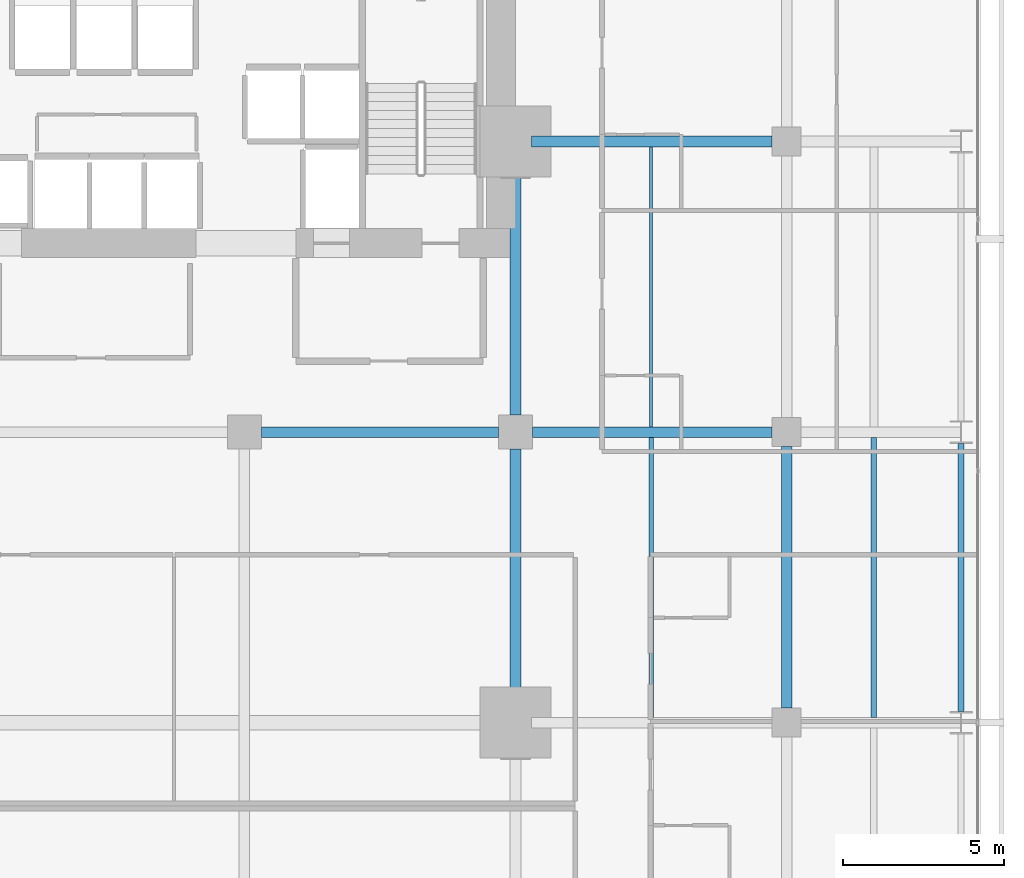
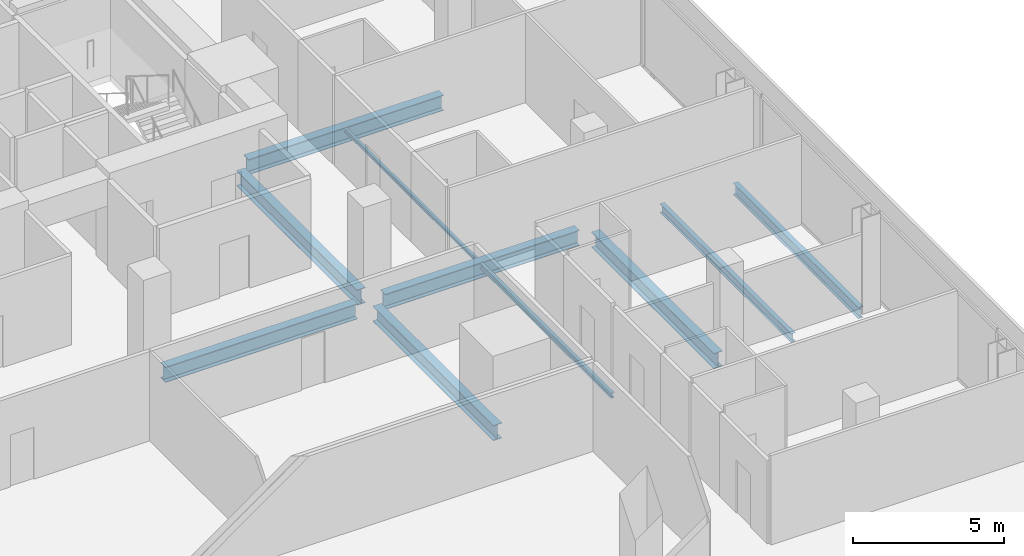
# One storey, part 27 of 40: 10 beams.
"""IFC4 building model written with IfcOpenShell, lengths in metres."""

from ifc_helpers import new_model, si_unit, direction, frame, origin, origin_2d, place, context, subcontext, project, spatial, i_section, extrude, material, material_profile, profile_set, type_object, element, save


model = new_model("IFC4")

# Units and contexts
model_context = context("Model", 3, precision=1e-05, world=origin(), true_north=direction((0.0, 1.0)))
body_context = subcontext(model_context, "Body", "Model", "MODEL_VIEW")
ifc_project = project(units=[si_unit("LENGTHUNIT", "METRE"), si_unit("AREAUNIT", "SQUARE_METRE"), si_unit("VOLUMEUNIT", "CUBIC_METRE"), si_unit("PLANEANGLEUNIT", "RADIAN"), si_unit("MASSUNIT", "GRAM", prefix="KILO")], contexts=[model_context])

# Site, building, storey
site_placement = place(None, origin())
site = spatial("IfcSite", under=ifc_project, at=site_placement, CompositionType="ELEMENT")
building_placement = place(site_placement, origin())
building = spatial("IfcBuilding", under=site, at=building_placement, Name="Maruvema Waterfront Hotel and Observation Tower", CompositionType="ELEMENT")
storey_placement = place(building_placement, frame((0.0, 0.0, 42.35009765625)))
storey = spatial("IfcBuildingStorey", under=building, at=storey_placement, Name="L09", CompositionType="ELEMENT", Elevation=42.35009765625)

# Beams
ifc_material_1 = material(Name="Steel ASTM A572 Grade 50", Category="steel")
ifc_material_profile_1 = material_profile(ifc_material_1, i_section(OverallWidth=0.18994140625, OverallDepth=0.45703125, WebThickness=0.009033203125, FlangeThickness=0.014404296875, FilletRadius=0.014892578125, at=origin_2d()), Name="W460x74.0")
ifc_profile_set_1 = profile_set([ifc_material_profile_1], Name="Steel ASTM A572 Grade 50")
beam_type_1 = type_object("IfcBeamType", Name="Perimeter Spandrel Beam W460x74.0", PredefinedType="SPANDREL", material=ifc_profile_set_1)
beam_1_placement = place(storey_placement, frame((64.199951171875, 27.35009765625, -0.468505859375), z_axis=(0.0, 1.0, 0.0), x_axis=(-1.0, 0.0, 0.0)))
element("IfcBeam", 1, at=beam_1_placement, inside=storey, type_object=beam_type_1, Name="L09 Floor Girder NS-35", PredefinedType="SPANDREL", context=body_context, shape_type="SweptSolid", body=[
    extrude(i_section(OverallWidth=0.18994140625, OverallDepth=0.45703125, WebThickness=0.009033203125, FlangeThickness=0.014404296875, FilletRadius=0.014892578125, at=origin_2d()), origin(), (0.0, 0.0, 1.0), 8.2998046875),
])
ifc_material_2 = material(Name="Steel ASTM A572 Grade 50", Category="steel")
ifc_material_profile_2 = material_profile(ifc_material_2, i_section(OverallWidth=0.326904296875, OverallDepth=0.6220703125, WebThickness=0.015380859375, FlangeThickness=0.0244140625, FilletRadius=0.01806640625, at=origin_2d()), Name="W610x195.0")
ifc_profile_set_2 = profile_set([ifc_material_profile_2], Name="Steel ASTM A572 Grade 50")
beam_type_2 = type_object("IfcBeamType", Name="Primary Floor Girder W610x195.0", PredefinedType="BEAM", material=ifc_profile_set_2)
beam_2_placement = place(storey_placement, frame((42.52490234375, 36.0, -0.551025390625), z_axis=(1.0, 0.0, 0.0), x_axis=(0.0, 1.0, 0.0)))
element("IfcBeam", 2, at=beam_2_placement, inside=storey, type_object=beam_type_2, Name="L09 Floor Girder EW-29", PredefinedType="BEAM", context=body_context, shape_type="SweptSolid", body=[
    extrude(i_section(OverallWidth=0.326904296875, OverallDepth=0.6220703125, WebThickness=0.015380859375, FlangeThickness=0.0244140625, FilletRadius=0.01806640625, at=origin_2d()), origin(), (0.0, 0.0, 1.0), 7.35009765625),
])
beam_3_placement = place(storey_placement, frame((50.925048828125, 36.0, -0.551025390625), z_axis=(1.0, 0.0, 0.0), x_axis=(0.0, 1.0, 0.0)))
element("IfcBeam", 3, at=beam_3_placement, inside=storey, type_object=beam_type_2, Name="L09 Floor Girder EW-30", PredefinedType="BEAM", context=body_context, shape_type="SweptSolid", body=[
    extrude(i_section(OverallWidth=0.326904296875, OverallDepth=0.6220703125, WebThickness=0.015380859375, FlangeThickness=0.0244140625, FilletRadius=0.01806640625, at=origin_2d()), origin(), (0.0, 0.0, 1.0), 7.425048828125),
])
beam_4_placement = place(storey_placement, frame((50.89990234375, 45.0, -0.551025390625), z_axis=(1.0, 0.0, 0.0), x_axis=(0.0, 1.0, 0.0)))
element("IfcBeam", 4, at=beam_4_placement, inside=storey, type_object=beam_type_2, Name="L09 Floor Girder EW-34", PredefinedType="BEAM", context=body_context, shape_type="SweptSolid", body=[
    extrude(i_section(OverallWidth=0.326904296875, OverallDepth=0.6220703125, WebThickness=0.015380859375, FlangeThickness=0.0244140625, FilletRadius=0.01806640625, at=origin_2d()), origin(), (0.0, 0.0, 1.0), 7.4501953125),
])
for number, where, z_axis, x_axis, name in (
    (5, (50.39990234375, 27.5, -0.551025390625), (0.0, 1.0, 0.0), (-1.0, 0.0, 0.0), "L09 Floor Girder NS-25"),
    (6, (50.39990234375, 36.52490234375, -0.551025390625), (0.0, 1.0, 0.0), (-1.0, 0.0, 0.0), "L09 Floor Girder NS-26"),
):
    element("IfcBeam", number, at=place(storey_placement, frame(where, z_axis=z_axis, x_axis=x_axis)), inside=storey, type_object=beam_type_2, Name=name, PredefinedType="BEAM", context=body_context, shape_type="SweptSolid", body=[
        extrude(i_section(OverallWidth=0.326904296875, OverallDepth=0.6220703125, WebThickness=0.015380859375, FlangeThickness=0.0244140625, FilletRadius=0.01806640625, at=origin_2d()), origin(), (0.0, 0.0, 1.0), 7.97509765625),
    ])
beam_5_placement = place(storey_placement, frame((58.800048828125, 27.449951171875, -0.551025390625), z_axis=(0.0, 1.0, 0.0), x_axis=(-1.0, 0.0, 0.0)))
element("IfcBeam", 7, at=beam_5_placement, inside=storey, type_object=beam_type_2, Name="L09 Floor Girder NS-30", PredefinedType="BEAM", context=body_context, shape_type="SweptSolid", body=[
    extrude(i_section(OverallWidth=0.326904296875, OverallDepth=0.6220703125, WebThickness=0.015380859375, FlangeThickness=0.0244140625, FilletRadius=0.01806640625, at=origin_2d()), origin(), (0.0, 0.0, 1.0), 8.10009765625),
])
ifc_material_3 = material(Name="Steel ASTM A572 Grade 50", Category="steel")
ifc_material_profile_3 = material_profile(ifc_material_3, i_section(OverallWidth=0.10009765625, OverallDepth=0.153076171875, WebThickness=0.005859375, FlangeThickness=0.007080078125, FilletRadius=0.008056640625, at=origin_2d()), Name="W150x18.0")
ifc_profile_set_3 = profile_set([ifc_material_profile_3], Name="Steel ASTM A572 Grade 50")
beam_type_3 = type_object("IfcBeamType", Name="Secondary Floor Joist W150x18.0", PredefinedType="JOIST", material=ifc_profile_set_3)
beam_6_placement = place(storey_placement, frame((54.60009765625, 36.16357421875, -0.316650390625), z_axis=(0.0, 1.0, 0.0), x_axis=(-1.0, 0.0, 0.0)))
element("IfcBeam", 8, at=beam_6_placement, inside=storey, type_object=beam_type_3, Name="L09 Secondary Floor Joist JS-20", PredefinedType="JOIST", context=body_context, shape_type="SweptSolid", body=[
    extrude(i_section(OverallWidth=0.10009765625, OverallDepth=0.153076171875, WebThickness=0.005859375, FlangeThickness=0.007080078125, FilletRadius=0.008056640625, at=origin_2d()), origin(), (0.0, 0.0, 1.0), 8.6728515625),
])
ifc_material_4 = material(Name="Steel ASTM A572 Grade 50", Category="steel")
ifc_material_profile_4 = material_profile(ifc_material_4, i_section(OverallWidth=0.133056640625, OverallDepth=0.20703125, WebThickness=0.005859375, FlangeThickness=0.00830078125, FilletRadius=0.010009765625, at=origin_2d()), Name="W200x26.6")
ifc_profile_set_4 = profile_set([ifc_material_profile_4], Name="Steel ASTM A572 Grade 50")
beam_type_4 = type_object("IfcBeamType", Name="Secondary Floor Joist W200x26.6", PredefinedType="JOIST", material=ifc_profile_set_4)
beam_7_placement = place(storey_placement, frame((54.60009765625, 27.16357421875, -0.343505859375), z_axis=(0.0, 1.0, 0.0), x_axis=(-1.0, 0.0, 0.0)))
element("IfcBeam", 9, at=beam_7_placement, inside=storey, type_object=beam_type_4, Name="L09 Secondary Floor Joist JS-19", PredefinedType="JOIST", context=body_context, shape_type="SweptSolid", body=[
    extrude(i_section(OverallWidth=0.133056640625, OverallDepth=0.20703125, WebThickness=0.005859375, FlangeThickness=0.00830078125, FilletRadius=0.010009765625, at=origin_2d()), origin(), (0.0, 0.0, 1.0), 8.6728515625),
])
ifc_material_5 = material(Name="Steel ASTM A572 Grade 50", Category="steel")
ifc_material_profile_5 = material_profile(ifc_material_5, i_section(OverallWidth=0.1708984375, OverallDepth=0.35498046875, WebThickness=0.007080078125, FlangeThickness=0.01171875, FilletRadius=0.014892578125, at=origin_2d()), Name="W360x51.0")
ifc_profile_set_5 = profile_set([ifc_material_profile_5], Name="Steel ASTM A572 Grade 50")
beam_type_5 = type_object("IfcBeamType", Name="Secondary Floor Joist W360x51.0", PredefinedType="JOIST", material=ifc_profile_set_5)
beam_8_placement = place(storey_placement, frame((61.5, 27.16357421875, -0.41748046875), z_axis=(0.0, 1.0, 0.0), x_axis=(-1.0, 0.0, 0.0)))
element("IfcBeam", 10, at=beam_8_placement, inside=storey, type_object=beam_type_5, Name="L09 Secondary Floor Joist JS-23", PredefinedType="JOIST", context=body_context, shape_type="SweptSolid", body=[
    extrude(i_section(OverallWidth=0.1708984375, OverallDepth=0.35498046875, WebThickness=0.007080078125, FlangeThickness=0.01171875, FilletRadius=0.014892578125, at=origin_2d()), origin(), (0.0, 0.0, 1.0), 8.6728515625),
])

save(model, "model.ifc")
